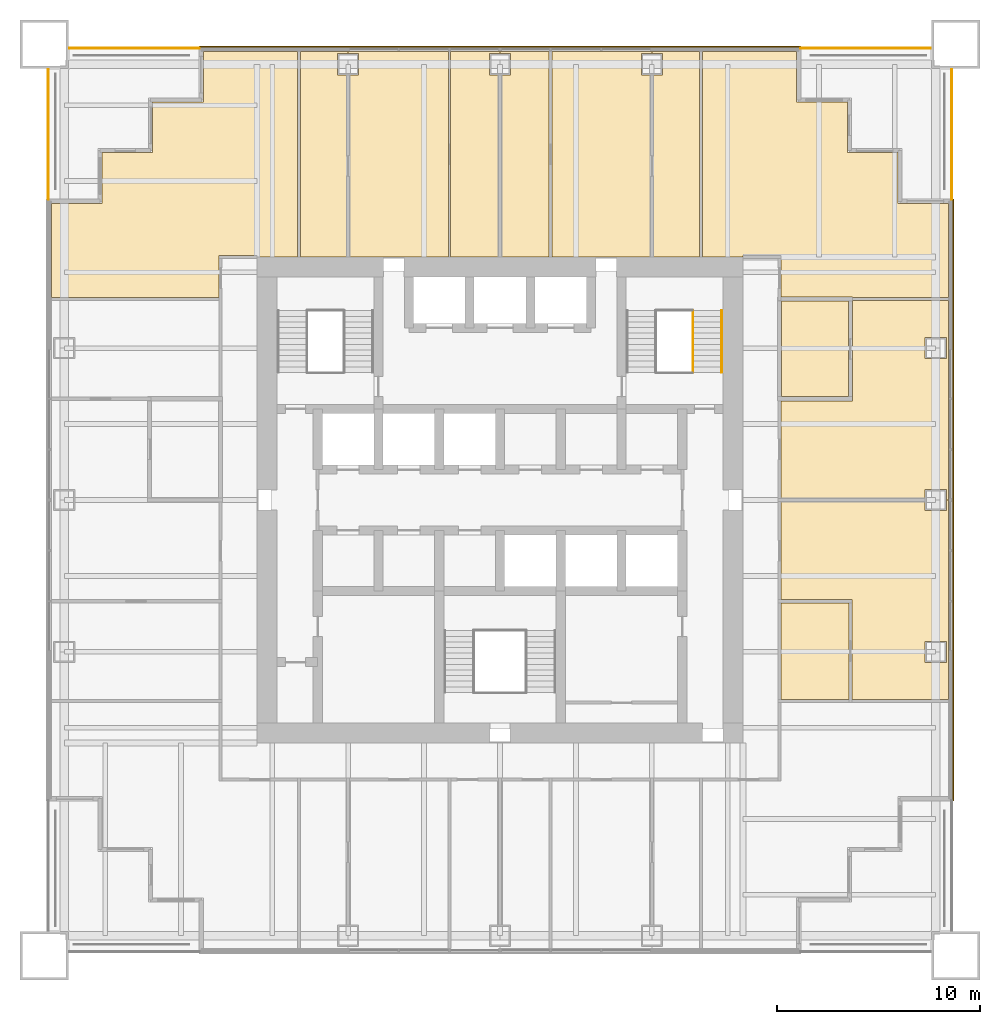
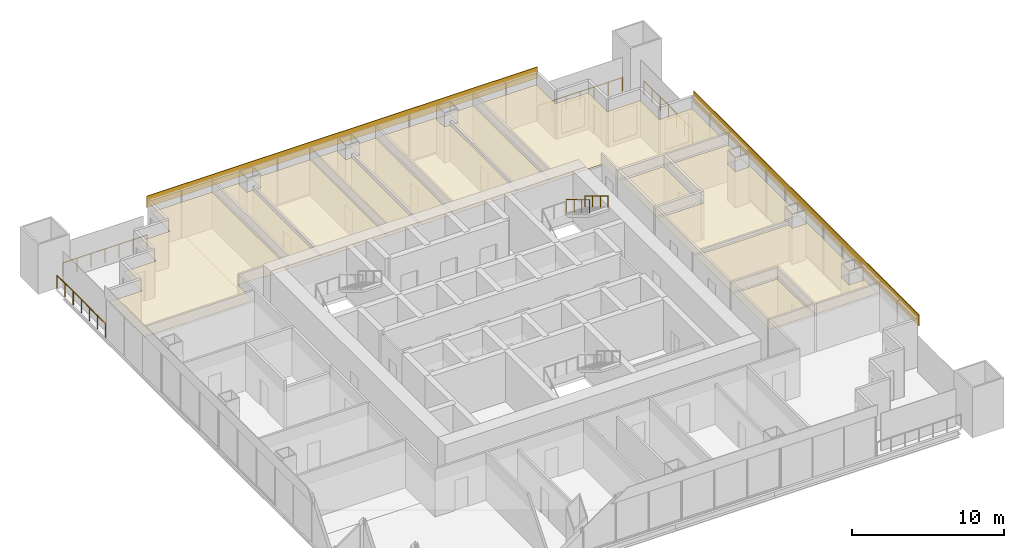
# One storey, part 13 of 13: 14 coverings, 6 railings.
"""IFC4 building model written with IfcOpenShell, lengths in metres."""

from ifc_helpers import new_model, si_unit, direction, frame, origin, origin_2d, place, context, subcontext, project, spatial, polyline, rectangle, circle, outline, extrude, material, layer, layer_set, type_object, element, save


model = new_model("IFC4")

# Units and contexts
model_context = context("Model", 3, precision=1e-05, world=origin(), true_north=direction((0.0, 1.0)))
body_context = subcontext(model_context, "Body", "Model", "MODEL_VIEW")
ifc_project = project(units=[si_unit("LENGTHUNIT", "METRE"), si_unit("AREAUNIT", "SQUARE_METRE"), si_unit("VOLUMEUNIT", "CUBIC_METRE"), si_unit("PLANEANGLEUNIT", "RADIAN"), si_unit("MASSUNIT", "GRAM", prefix="KILO")], contexts=[model_context])

# Site, building, storey
site_placement = place(None, origin())
site = spatial("IfcSite", under=ifc_project, at=site_placement, CompositionType="ELEMENT")
building_placement = place(site_placement, origin())
building = spatial("IfcBuilding", under=site, at=building_placement, Name="Tarangal Relay Tower", CompositionType="ELEMENT")
storey_placement = place(building_placement, frame((0.0, 0.0, 185.89990234375)))
storey = spatial("IfcBuildingStorey", under=building, at=storey_placement, Name="L38", CompositionType="ELEMENT", Elevation=185.89990234375)

# Coverings
ifc_material_1 = material(Name="Black anodised aluminium cladding", Category="aluminium")
ifc_layer_1 = layer(ifc_material_1, 0.050048828125)
ifc_layer_set_1 = layer_set([ifc_layer_1], Name="Black metal spandrel band")
covering_type_1 = type_object("IfcCoveringType", Name="Black metal spandrel band", PredefinedType="CLADDING", material=ifc_layer_set_1)
for number, where, z_axis, x_axis, name in (
    (1, (0.0, 22.375, 3.250244140625), (0.0, 0.0, 1.0), (1.0, 0.0, 0.0), "Spandrel band SB1 N L38"),
    (2, (22.375, 0.0, 3.250244140625), (0.0, 0.0, 1.0), (0.0, -1.0, 0.0), "Spandrel band SB1 E L38"),
):
    element("IfcCovering", number, at=place(storey_placement, frame(where, z_axis=z_axis, x_axis=x_axis)), inside=storey, type_object=covering_type_1, Name=name, PredefinedType="CLADDING", context=body_context, shape_type="SweptSolid", body=[
        extrude(rectangle(XDim=29.699951171875, YDim=0.050048828125, at=origin_2d()), origin(), (0.0, 0.0, 1.0), 0.89990234375),
    ])

# Railings
ifc_material_2 = material(Name="Steel guard, black finish", Category="steel")
railing_type_1 = type_object("IfcRailingType", Name="Stair guard 1100", PredefinedType="GUARDRAIL", material=ifc_material_2)
railing_1_placement = place(storey_placement, frame((9.530029296875, 9.346923828125, 2.166748046875)))
element("IfcRailing", 3, at=railing_1_placement, inside=storey, type_object=railing_type_1, Name="Stair ST-B guard GR1 L38 flight 2", PredefinedType="GUARDRAIL", context=body_context, shape_type="SweptSolid", body=[
    extrude(circle(Radius=0.02392578125, at=origin_2d()), frame((0.0, 0.0, 1.076171875), z_axis=(0.0, -0.85685617095, 0.515555527858), x_axis=(1.0, 0.0, 0.0)), (0.0, 0.0, 1.0), 3.555908203125),
    extrude(circle(Radius=0.02099609375, at=origin_2d()), origin(), (0.0, 0.0, 1.0), 1.052001953125),
    extrude(circle(Radius=0.02099609375, at=origin_2d()), frame((0.0, -1.015625, 0.611083984375)), (0.0, 0.0, 1.0), 1.052001953125),
    extrude(circle(Radius=0.02099609375, at=origin_2d()), frame((0.0, -2.03125, 1.22216796875)), (0.0, 0.0, 1.0), 1.052001953125),
    extrude(circle(Radius=0.02099609375, at=origin_2d()), frame((0.0, -3.046875, 1.833251953125)), (0.0, 0.0, 1.0), 1.052001953125),
])
ifc_material_3 = material(Name="Steel handrail, black finish", Category="steel")
railing_type_2 = type_object("IfcRailingType", Name="Stair handrail 900", PredefinedType="HANDRAIL", material=ifc_material_3)
railing_2_placement = place(storey_placement, frame((10.93994140625, 9.346923828125, 2.166748046875)))
element("IfcRailing", 4, at=railing_2_placement, inside=storey, type_object=railing_type_2, Name="Stair ST-B handrail HR1 L38 flight 2", PredefinedType="HANDRAIL", context=body_context, shape_type="SweptSolid", body=[
    extrude(circle(Radius=0.02392578125, at=origin_2d()), frame((0.0, 0.0, 0.8759765625), z_axis=(0.0, -0.85685617095, 0.515555527858), x_axis=(1.0, 0.0, 0.0)), (0.0, 0.0, 1.0), 3.555908203125),
    extrude(circle(Radius=0.02099609375, at=origin_2d()), origin(), (0.0, 0.0, 1.0), 0.851806640625),
    extrude(circle(Radius=0.02099609375, at=origin_2d()), frame((0.0, -1.015625, 0.611083984375)), (0.0, 0.0, 1.0), 0.851806640625),
    extrude(circle(Radius=0.02099609375, at=origin_2d()), frame((0.0, -2.03125, 1.22216796875)), (0.0, 0.0, 1.0), 0.851806640625),
    extrude(circle(Radius=0.02099609375, at=origin_2d()), frame((0.0, -3.046875, 1.833251953125)), (0.0, 0.0, 1.0), 0.851806640625),
])

# Coverings
ifc_material_4 = material(Name="Mineral fibre ceiling tiles", Category="gypsum")
ifc_layer_2 = layer(ifc_material_4, 0.02001953125)
ifc_layer_set_2 = layer_set([ifc_layer_2], Name="Suspended ceiling")
covering_type_2 = type_object("IfcCoveringType", Name="Suspended ceiling", PredefinedType="CEILING", material=ifc_layer_set_2)
covering_1_placement = place(storey_placement, frame((0.0, 0.0, 2.900146484375)))
element("IfcCovering", 5, at=covering_1_placement, inside=storey, type_object=covering_type_2, Name="Suspended ceiling CL1 L38-02", PredefinedType="CEILING", context=body_context, shape_type="SweptSolid", body=[
    extrude(outline(polyline([(-7.574951171875, 20.989990234375), (-8.02490234375, 20.989990234375), (-8.02490234375, 22.0400390625), (-7.5, 22.0400390625), (-7.5, 22.14990234375), (-9.842041015625, 22.14990234375), (-9.842041015625, 12.0), (-7.574951171875, 12.0), (-7.574951171875, 20.989990234375)])), origin(), (0.0, 0.0, 1.0), 0.02001953125),
])
covering_2_placement = place(storey_placement, frame((0.0, 0.0, 2.900146484375)))
element("IfcCovering", 6, at=covering_2_placement, inside=storey, type_object=covering_type_2, Name="Suspended ceiling CL1 L38-03", PredefinedType="CEILING", context=body_context, shape_type="SweptSolid", body=[
    extrude(outline(polyline([(-7.425048828125, 12.0), (-2.550048828125, 12.0), (-2.550048828125, 22.14990234375), (-7.5, 22.14990234375), (-7.5, 22.0400390625), (-6.97509765625, 22.0400390625), (-6.97509765625, 20.989990234375), (-7.425048828125, 20.989990234375), (-7.425048828125, 12.0)])), origin(), (0.0, 0.0, 1.0), 0.02001953125),
])
covering_3_placement = place(storey_placement, frame((0.0, 0.0, 2.900146484375)))
element("IfcCovering", 7, at=covering_3_placement, inside=storey, type_object=covering_type_2, Name="Suspended ceiling CL1 L38-04", PredefinedType="CEILING", context=body_context, shape_type="SweptSolid", body=[
    extrude(outline(polyline([(-0.074951171875, 20.989990234375), (-0.52490234375, 20.989990234375), (-0.52490234375, 22.0400390625), (0.0, 22.0400390625), (0.0, 22.14990234375), (-2.449951171875, 22.14990234375), (-2.449951171875, 12.0), (-0.074951171875, 12.0), (-0.074951171875, 20.989990234375)])), origin(), (0.0, 0.0, 1.0), 0.02001953125),
])
covering_4_placement = place(storey_placement, frame((0.0, 0.0, 2.900146484375)))
element("IfcCovering", 8, at=covering_4_placement, inside=storey, type_object=covering_type_2, Name="Suspended ceiling CL1 L38-05", PredefinedType="CEILING", context=body_context, shape_type="SweptSolid", body=[
    extrude(outline(polyline([(0.074951171875, 12.0), (2.425048828125, 12.0), (2.425048828125, 22.14990234375), (0.0, 22.14990234375), (0.0, 22.0400390625), (0.52490234375, 22.0400390625), (0.52490234375, 20.989990234375), (0.074951171875, 20.989990234375), (0.074951171875, 12.0)])), origin(), (0.0, 0.0, 1.0), 0.02001953125),
])
covering_5_placement = place(storey_placement, frame((0.0, 0.0, 2.900146484375)))
element("IfcCovering", 9, at=covering_5_placement, inside=storey, type_object=covering_type_2, Name="Suspended ceiling CL1 L38-06", PredefinedType="CEILING", context=body_context, shape_type="SweptSolid", body=[
    extrude(outline(polyline([(7.425048828125, 20.989990234375), (6.97509765625, 20.989990234375), (6.97509765625, 22.0400390625), (7.5, 22.0400390625), (7.5, 22.14990234375), (2.574951171875, 22.14990234375), (2.574951171875, 12.0), (7.425048828125, 12.0), (7.425048828125, 20.989990234375)])), origin(), (0.0, 0.0, 1.0), 0.02001953125),
])
covering_6_placement = place(storey_placement, frame((0.0, 0.0, 2.900146484375)))
element("IfcCovering", 10, at=covering_6_placement, inside=storey, type_object=covering_type_2, Name="Suspended ceiling CL1 L38-07", PredefinedType="CEILING", context=body_context, shape_type="SweptSolid", body=[
    extrude(outline(polyline([(7.574951171875, 12.0), (9.842041015625, 12.0), (9.842041015625, 22.14990234375), (7.5, 22.14990234375), (7.5, 22.0400390625), (8.02490234375, 22.0400390625), (8.02490234375, 20.989990234375), (7.574951171875, 20.989990234375), (7.574951171875, 12.0)])), origin(), (0.0, 0.0, 1.0), 0.02001953125),
])
covering_7_placement = place(storey_placement, frame((0.0, 0.0, 2.900146484375)))
element("IfcCovering", 11, at=covering_7_placement, inside=storey, type_object=covering_type_2, Name="Suspended ceiling CL1 L38-08", PredefinedType="CEILING", context=body_context, shape_type="SweptSolid", body=[
    extrude(outline(polyline([(17.199951171875, 9.81689453125), (13.89990234375, 9.81689453125), (13.89990234375, 5.10009765625), (17.199951171875, 5.10009765625), (17.199951171875, 9.81689453125)])), origin(), (0.0, 0.0, 1.0), 0.02001953125),
])
covering_8_placement = place(storey_placement, frame((0.0, 0.0, 2.900146484375)))
element("IfcCovering", 12, at=covering_8_placement, inside=storey, type_object=covering_type_2, Name="Suspended ceiling CL1 L38-09", PredefinedType="CEILING", context=body_context, shape_type="SweptSolid", body=[
    extrude(outline(polyline([(22.14990234375, 0.0), (22.14990234375, 9.842041015625), (17.39990234375, 9.842041015625), (17.39990234375, 4.89990234375), (13.875, 4.89990234375), (13.875, 0.074951171875), (20.989990234375, 0.074951171875), (20.989990234375, 0.52490234375), (22.0400390625, 0.52490234375), (22.0400390625, 0.0), (22.14990234375, 0.0)]), holes=[polyline([(22.0400390625, 6.97509765625), (22.0400390625, 8.02490234375), (20.989990234375, 8.02490234375), (20.989990234375, 6.97509765625), (22.0400390625, 6.97509765625)])]), origin(), (0.0, 0.0, 1.0), 0.02001953125),
])
covering_9_placement = place(storey_placement, frame((0.0, 0.0, 2.900146484375)))
element("IfcCovering", 13, at=covering_9_placement, inside=storey, type_object=covering_type_2, Name="Suspended ceiling CL1 L38-10", PredefinedType="CEILING", context=body_context, shape_type="SweptSolid", body=[
    extrude(outline(polyline([(22.14990234375, 0.0), (22.0400390625, 0.0), (22.0400390625, -0.52490234375), (20.989990234375, -0.52490234375), (20.989990234375, -0.074951171875), (13.875, -0.074951171875), (13.875, -4.925048828125), (17.375, -4.925048828125), (17.375, -9.842041015625), (22.14990234375, -9.842041015625), (22.14990234375, 0.0)]), holes=[polyline([(22.0400390625, -8.02490234375), (22.0400390625, -6.97509765625), (20.989990234375, -6.97509765625), (20.989990234375, -8.02490234375), (22.0400390625, -8.02490234375)])]), origin(), (0.0, 0.0, 1.0), 0.02001953125),
])
covering_10_placement = place(storey_placement, frame((0.0, 0.0, 2.900146484375)))
element("IfcCovering", 14, at=covering_10_placement, inside=storey, type_object=covering_type_2, Name="Suspended ceiling CL1 L38-11", PredefinedType="CEILING", context=body_context, shape_type="SweptSolid", body=[
    extrude(outline(polyline([(13.875, -5.074951171875), (13.875, -9.842041015625), (17.22509765625, -9.842041015625), (17.22509765625, -5.074951171875), (13.875, -5.074951171875)])), origin(), (0.0, 0.0, 1.0), 0.02001953125),
])
covering_11_placement = place(storey_placement, frame((0.0, 0.0, 2.900146484375)))
element("IfcCovering", 15, at=covering_11_placement, inside=storey, type_object=covering_type_2, Name="Suspended ceiling CL1 L38-22", PredefinedType="CEILING", context=body_context, shape_type="SweptSolid", body=[
    extrude(outline(polyline([(9.991943359375, 22.14990234375), (9.991943359375, 12.0), (12.0, 12.0), (12.0, 12.074951171875), (13.875, 12.074951171875), (13.875, 10.01708984375), (17.39990234375, 10.01708984375), (17.39990234375, 9.991943359375), (22.14990234375, 9.991943359375), (22.14990234375, 14.64990234375), (19.64990234375, 14.64990234375), (19.64990234375, 17.14990234375), (17.14990234375, 17.14990234375), (17.14990234375, 19.64990234375), (14.64990234375, 19.64990234375), (14.64990234375, 22.14990234375), (9.991943359375, 22.14990234375)])), origin(), (0.0, 0.0, 1.0), 0.02001953125),
])
covering_12_placement = place(storey_placement, frame((0.0, 0.0, 2.900146484375)))
element("IfcCovering", 16, at=covering_12_placement, inside=storey, type_object=covering_type_2, Name="Suspended ceiling CL1 L38-25", PredefinedType="CEILING", context=body_context, shape_type="SweptSolid", body=[
    extrude(outline(polyline([(-19.64990234375, 14.64990234375), (-22.14990234375, 14.64990234375), (-22.14990234375, 9.991943359375), (-13.875, 9.991943359375), (-13.875, 12.074951171875), (-12.0, 12.074951171875), (-12.0, 12.0), (-9.991943359375, 12.0), (-9.991943359375, 22.14990234375), (-14.64990234375, 22.14990234375), (-14.64990234375, 19.64990234375), (-17.14990234375, 19.64990234375), (-17.14990234375, 17.14990234375), (-19.64990234375, 17.14990234375), (-19.64990234375, 14.64990234375)])), origin(), (0.0, 0.0, 1.0), 0.02001953125),
])

# Railings
ifc_material_5 = material(Name="Black steel guard with glass infill", Category="steel")
railing_type_3 = type_object("IfcRailingType", Name="Terrace guard 1100", PredefinedType="GUARDRAIL", material=ifc_material_5)
railing_3_placement = place(storey_placement, frame((14.85009765625, 22.300048828125, 0.0)))
element("IfcRailing", 17, at=railing_3_placement, inside=storey, type_object=railing_type_3, Name="Terrace guard GR2 NE L38", PredefinedType="GUARDRAIL", context=body_context, shape_type="SweptSolid", body=[
    extrude(circle(Radius=0.02392578125, at=origin_2d()), frame((0.0, 0.0, 1.076171875), z_axis=(1.0, 0.0, 0.0), x_axis=(0.0, 1.0, 0.0)), (0.0, 0.0, 1.0), 6.39990234375),
    extrude(circle(Radius=0.02099609375, at=origin_2d()), origin(), (0.0, 0.0, 1.0), 1.052001953125),
    extrude(circle(Radius=0.02099609375, at=origin_2d()), frame((1.066650390625, 0.0, 0.0)), (0.0, 0.0, 1.0), 1.052001953125),
    extrude(circle(Radius=0.02099609375, at=origin_2d()), frame((2.13330078125, 0.0, 0.0)), (0.0, 0.0, 1.0), 1.052001953125),
    extrude(circle(Radius=0.02099609375, at=origin_2d()), frame((3.199951171875, 0.0, 0.0)), (0.0, 0.0, 1.0), 1.052001953125),
    extrude(circle(Radius=0.02099609375, at=origin_2d()), frame((4.2666015625, 0.0, 0.0)), (0.0, 0.0, 1.0), 1.052001953125),
    extrude(circle(Radius=0.02099609375, at=origin_2d()), frame((5.333251953125, 0.0, 0.0)), (0.0, 0.0, 1.0), 1.052001953125),
    extrude(circle(Radius=0.02099609375, at=origin_2d()), frame((6.39990234375, 0.0, 0.0)), (0.0, 0.0, 1.0), 1.052001953125),
])
railing_4_placement = place(storey_placement, frame((22.300048828125, 21.25, 0.0)))
element("IfcRailing", 18, at=railing_4_placement, inside=storey, type_object=railing_type_3, Name="Terrace guard GR2 NE L38", PredefinedType="GUARDRAIL", context=body_context, shape_type="SweptSolid", body=[
    extrude(circle(Radius=0.02392578125, at=origin_2d()), frame((0.0, 0.0, 1.076171875), z_axis=(0.0, -1.0, 0.0), x_axis=(1.0, 0.0, 0.0)), (0.0, 0.0, 1.0), 6.39990234375),
    extrude(circle(Radius=0.02099609375, at=origin_2d()), origin(), (0.0, 0.0, 1.0), 1.052001953125),
    extrude(circle(Radius=0.02099609375, at=origin_2d()), frame((0.0, -1.066650390625, 0.0)), (0.0, 0.0, 1.0), 1.052001953125),
    extrude(circle(Radius=0.02099609375, at=origin_2d()), frame((0.0, -2.13330078125, 0.0)), (0.0, 0.0, 1.0), 1.052001953125),
    extrude(circle(Radius=0.02099609375, at=origin_2d()), frame((0.0, -3.199951171875, 0.0)), (0.0, 0.0, 1.0), 1.052001953125),
    extrude(circle(Radius=0.02099609375, at=origin_2d()), frame((0.0, -4.2666015625, 0.0)), (0.0, 0.0, 1.0), 1.052001953125),
    extrude(circle(Radius=0.02099609375, at=origin_2d()), frame((0.0, -5.333251953125, 0.0)), (0.0, 0.0, 1.0), 1.052001953125),
    extrude(circle(Radius=0.02099609375, at=origin_2d()), frame((0.0, -6.39990234375, 0.0)), (0.0, 0.0, 1.0), 1.052001953125),
])
railing_5_placement = place(storey_placement, frame((-22.300048828125, 14.85009765625, 0.0)))
element("IfcRailing", 19, at=railing_5_placement, inside=storey, type_object=railing_type_3, Name="Terrace guard GR2 NW L38", PredefinedType="GUARDRAIL", context=body_context, shape_type="SweptSolid", body=[
    extrude(circle(Radius=0.02392578125, at=origin_2d()), frame((0.0, 0.0, 1.076171875), z_axis=(0.0, 1.0, 0.0), x_axis=(-1.0, 0.0, 0.0)), (0.0, 0.0, 1.0), 6.39990234375),
    extrude(circle(Radius=0.02099609375, at=origin_2d()), origin(), (0.0, 0.0, 1.0), 1.052001953125),
    extrude(circle(Radius=0.02099609375, at=origin_2d()), frame((0.0, 1.066650390625, 0.0)), (0.0, 0.0, 1.0), 1.052001953125),
    extrude(circle(Radius=0.02099609375, at=origin_2d()), frame((0.0, 2.13330078125, 0.0)), (0.0, 0.0, 1.0), 1.052001953125),
    extrude(circle(Radius=0.02099609375, at=origin_2d()), frame((0.0, 3.199951171875, 0.0)), (0.0, 0.0, 1.0), 1.052001953125),
    extrude(circle(Radius=0.02099609375, at=origin_2d()), frame((0.0, 4.2666015625, 0.0)), (0.0, 0.0, 1.0), 1.052001953125),
    extrude(circle(Radius=0.02099609375, at=origin_2d()), frame((0.0, 5.333251953125, 0.0)), (0.0, 0.0, 1.0), 1.052001953125),
    extrude(circle(Radius=0.02099609375, at=origin_2d()), frame((0.0, 6.39990234375, 0.0)), (0.0, 0.0, 1.0), 1.052001953125),
])
railing_6_placement = place(storey_placement, frame((-21.25, 22.300048828125, 0.0)))
element("IfcRailing", 20, at=railing_6_placement, inside=storey, type_object=railing_type_3, Name="Terrace guard GR2 NW L38", PredefinedType="GUARDRAIL", context=body_context, shape_type="SweptSolid", body=[
    extrude(circle(Radius=0.02392578125, at=origin_2d()), frame((0.0, 0.0, 1.076171875), z_axis=(1.0, 0.0, 0.0), x_axis=(0.0, 1.0, 0.0)), (0.0, 0.0, 1.0), 6.39990234375),
    extrude(circle(Radius=0.02099609375, at=origin_2d()), origin(), (0.0, 0.0, 1.0), 1.052001953125),
    extrude(circle(Radius=0.02099609375, at=origin_2d()), frame((1.066650390625, 0.0, 0.0)), (0.0, 0.0, 1.0), 1.052001953125),
    extrude(circle(Radius=0.02099609375, at=origin_2d()), frame((2.13330078125, 0.0, 0.0)), (0.0, 0.0, 1.0), 1.052001953125),
    extrude(circle(Radius=0.02099609375, at=origin_2d()), frame((3.199951171875, 0.0, 0.0)), (0.0, 0.0, 1.0), 1.052001953125),
    extrude(circle(Radius=0.02099609375, at=origin_2d()), frame((4.2666015625, 0.0, 0.0)), (0.0, 0.0, 1.0), 1.052001953125),
    extrude(circle(Radius=0.02099609375, at=origin_2d()), frame((5.333251953125, 0.0, 0.0)), (0.0, 0.0, 1.0), 1.052001953125),
    extrude(circle(Radius=0.02099609375, at=origin_2d()), frame((6.39990234375, 0.0, 0.0)), (0.0, 0.0, 1.0), 1.052001953125),
])

save(model, "model.ifc")
